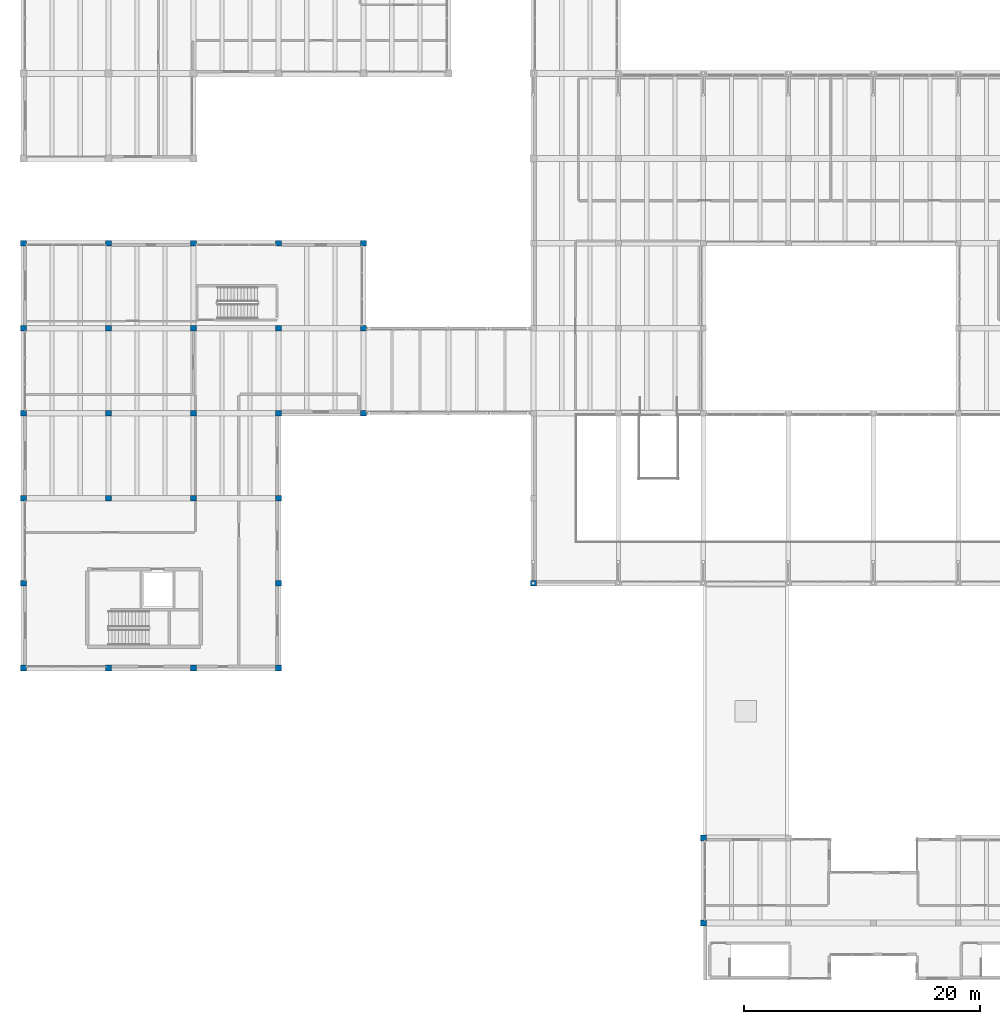
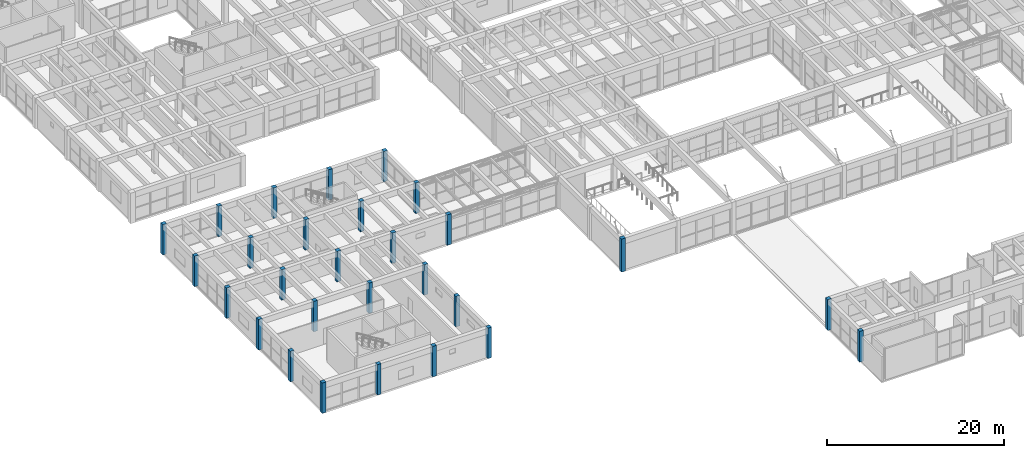
# One storey, part 1 of 153: 28 columns.
"""IFC4 building model written with IfcOpenShell, lengths in metres."""

from ifc_helpers import new_model, si_unit, direction, frame, origin, origin_2d, place, context, subcontext, project, spatial, rectangle, extrude, material, material_profile, profile_set, type_object, element, save


model = new_model("IFC4")

# Units and contexts
model_context = context("Model", 3, precision=1e-05, world=origin(), true_north=direction((0.0, 1.0)))
body_context = subcontext(model_context, "Body", "Model", "MODEL_VIEW")
ifc_project = project(units=[si_unit("LENGTHUNIT", "METRE"), si_unit("AREAUNIT", "SQUARE_METRE"), si_unit("VOLUMEUNIT", "CUBIC_METRE"), si_unit("PLANEANGLEUNIT", "RADIAN"), si_unit("MASSUNIT", "GRAM", prefix="KILO")], contexts=[model_context])

# Site, building, storey
site_placement = place(None, origin())
site = spatial("IfcSite", under=ifc_project, at=site_placement, CompositionType="ELEMENT")
building_placement = place(site_placement, origin())
building = spatial("IfcBuilding", under=site, at=building_placement, Name="Bramvelor Terrace Health Centre", CompositionType="ELEMENT")
storey_placement = place(building_placement, frame((0.0, 0.0, 4.800048828125)))
storey = spatial("IfcBuildingStorey", under=building, at=storey_placement, Name="L02", CompositionType="ELEMENT", Elevation=4.800048828125)

# Columns
ifc_material_1 = material(Name="Concrete C40/50", Category="concrete")
ifc_material_profile_1 = material_profile(ifc_material_1, rectangle(XDim=0.5, YDim=0.5, at=origin_2d()), Name="RC 500x500")
ifc_profile_set_1 = profile_set([ifc_material_profile_1], Name="Concrete C40/50")
column_type_1 = type_object("IfcColumnType", Name="COL-RC-500", PredefinedType="COLUMN", material=ifc_profile_set_1)
for number, where, z_axis, x_axis, name in (
    (1, (7.199951171875, 28.800048828125, 0.0), (0.0, 0.0, 1.0), (1.0, 0.0, 0.0), "L02 Column (7.2, 28.8)"),
    (2, (7.199951171875, 43.199951171875, 0.0), (0.0, 0.0, 1.0), (1.0, 0.0, 0.0), "L02 Column (7.2, 43.2)"),
    (3, (7.199951171875, 50.39990234375, 0.0), (0.0, 0.0, 1.0), (1.0, 0.0, 0.0), "L02 Column (7.2, 50.4)"),
    (4, (7.199951171875, 57.60009765625, 0.0), (0.0, 0.0, 1.0), (1.0, 0.0, 0.0), "L02 Column (7.2, 57.6)"),
    (5, (7.199951171875, 64.800048828125, 0.0), (0.0, 0.0, 1.0), (1.0, 0.0, 0.0), "L02 Column (7.2, 64.8)"),
    (6, (14.39990234375, 28.800048828125, 0.0), (0.0, 0.0, 1.0), (1.0, 0.0, 0.0), "L02 Column (14.4, 28.8)"),
    (7, (14.39990234375, 43.199951171875, 0.0), (0.0, 0.0, 1.0), (1.0, 0.0, 0.0), "L02 Column (14.4, 43.2)"),
    (8, (14.39990234375, 50.39990234375, 0.0), (0.0, 0.0, 1.0), (1.0, 0.0, 0.0), "L02 Column (14.4, 50.4)"),
    (9, (14.39990234375, 57.60009765625, 0.0), (0.0, 0.0, 1.0), (1.0, 0.0, 0.0), "L02 Column (14.4, 57.6)"),
    (10, (14.39990234375, 64.800048828125, 0.0), (0.0, 0.0, 1.0), (1.0, 0.0, 0.0), "L02 Column (14.4, 64.8)"),
    (11, (21.60009765625, 28.800048828125, 0.0), (0.0, 0.0, 1.0), (1.0, 0.0, 0.0), "L02 Column (21.6, 28.8)"),
    (12, (21.60009765625, 36.0, 0.0), (0.0, 0.0, 1.0), (1.0, 0.0, 0.0), "L02 Column (21.6, 36.0)"),
    (13, (21.60009765625, 43.199951171875, 0.0), (0.0, 0.0, 1.0), (1.0, 0.0, 0.0), "L02 Column (21.6, 43.2)"),
    (14, (21.60009765625, 50.39990234375, 0.0), (0.0, 0.0, 1.0), (1.0, 0.0, 0.0), "L02 Column (21.6, 50.4)"),
    (15, (21.60009765625, 57.60009765625, 0.0), (0.0, 0.0, 1.0), (1.0, 0.0, 0.0), "L02 Column (21.6, 57.6)"),
    (16, (21.60009765625, 64.800048828125, 0.0), (0.0, 0.0, 1.0), (1.0, 0.0, 0.0), "L02 Column (21.6, 64.8)"),
    (17, (28.800048828125, 50.39990234375, 0.0), (0.0, 0.0, 1.0), (1.0, 0.0, 0.0), "L02 Column (28.8, 50.4)"),
    (18, (28.800048828125, 57.60009765625, 0.0), (0.0, 0.0, 1.0), (1.0, 0.0, 0.0), "L02 Column (28.8, 57.6)"),
    (19, (28.800048828125, 64.800048828125, 0.0), (0.0, 0.0, 1.0), (1.0, 0.0, 0.0), "L02 Column (28.8, 64.8)"),
):
    element("IfcColumn", number, at=place(storey_placement, frame(where, z_axis=z_axis, x_axis=x_axis)), inside=storey, type_object=column_type_1, Name=name, PredefinedType="COLUMN", context=body_context, shape_type="SweptSolid", body=[
        extrude(rectangle(XDim=0.5, YDim=0.5, at=origin_2d()), origin(), (0.0, 0.0, 1.0), 4.199951171875),
    ])
column_placement = place(storey_placement, frame((43.199951171875, 36.0, 0.0), z_axis=(0.0, 0.0, 1.0), x_axis=(1.0, 0.0, 0.0)))
element("IfcColumn", 20, at=column_placement, inside=storey, type_object=column_type_1, Name="L02 Column (43.2, 36.0)", PredefinedType="COLUMN", context=body_context, shape_type="SweptSolid", body=[
    extrude(rectangle(XDim=0.5, YDim=0.5, at=origin_2d()), origin(), (0.0, 0.0, 1.0), 4.550048828125),
])
for number, where, z_axis, x_axis, name in (
    (21, (57.60009765625, 7.199951171875, 0.0), (0.0, 0.0, 1.0), (1.0, 0.0, 0.0), "L02 Column (57.6, 7.2)"),
    (22, (57.60009765625, 14.39990234375, 0.0), (0.0, 0.0, 1.0), (1.0, 0.0, 0.0), "L02 Column (57.6, 14.4)"),
):
    element("IfcColumn", number, at=place(storey_placement, frame(where, z_axis=z_axis, x_axis=x_axis)), inside=storey, type_object=column_type_1, Name=name, PredefinedType="COLUMN", context=body_context, shape_type="SweptSolid", body=[
        extrude(rectangle(XDim=0.5, YDim=0.5, at=origin_2d()), origin(), (0.0, 0.0, 1.0), 4.25),
    ])
ifc_material_2 = material(Name="Concrete C40/50", Category="concrete")
ifc_material_profile_2 = material_profile(ifc_material_2, rectangle(XDim=0.5, YDim=0.5, at=origin_2d()), Name="RC 500x500")
ifc_profile_set_2 = profile_set([ifc_material_profile_2], Name="Concrete C40/50")
column_type_2 = type_object("IfcColumnType", Name="COL-RC-500-EXT", PredefinedType="COLUMN", material=ifc_profile_set_2)
for number, where, z_axis, x_axis, name in (
    (23, (0.0, 28.800048828125, 0.0), (0.0, 0.0, 1.0), (1.0, 0.0, 0.0), "L02 Column (0.0, 28.8)"),
    (24, (0.0, 36.0, 0.0), (0.0, 0.0, 1.0), (1.0, 0.0, 0.0), "L02 Column (0.0, 36.0)"),
    (25, (0.0, 43.199951171875, 0.0), (0.0, 0.0, 1.0), (1.0, 0.0, 0.0), "L02 Column (0.0, 43.2)"),
    (26, (0.0, 50.39990234375, 0.0), (0.0, 0.0, 1.0), (1.0, 0.0, 0.0), "L02 Column (0.0, 50.4)"),
    (27, (0.0, 57.60009765625, 0.0), (0.0, 0.0, 1.0), (1.0, 0.0, 0.0), "L02 Column (0.0, 57.6)"),
    (28, (0.0, 64.800048828125, 0.0), (0.0, 0.0, 1.0), (1.0, 0.0, 0.0), "L02 Column (0.0, 64.8)"),
):
    element("IfcColumn", number, at=place(storey_placement, frame(where, z_axis=z_axis, x_axis=x_axis)), inside=storey, type_object=column_type_2, Name=name, PredefinedType="COLUMN", context=body_context, shape_type="SweptSolid", body=[
        extrude(rectangle(XDim=0.5, YDim=0.5, at=origin_2d()), origin(), (0.0, 0.0, 1.0), 4.199951171875),
    ])

save(model, "model.ifc")
